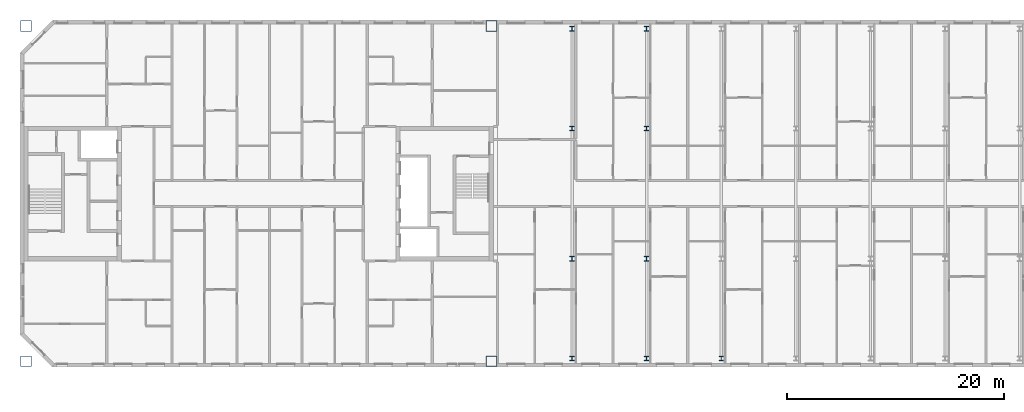
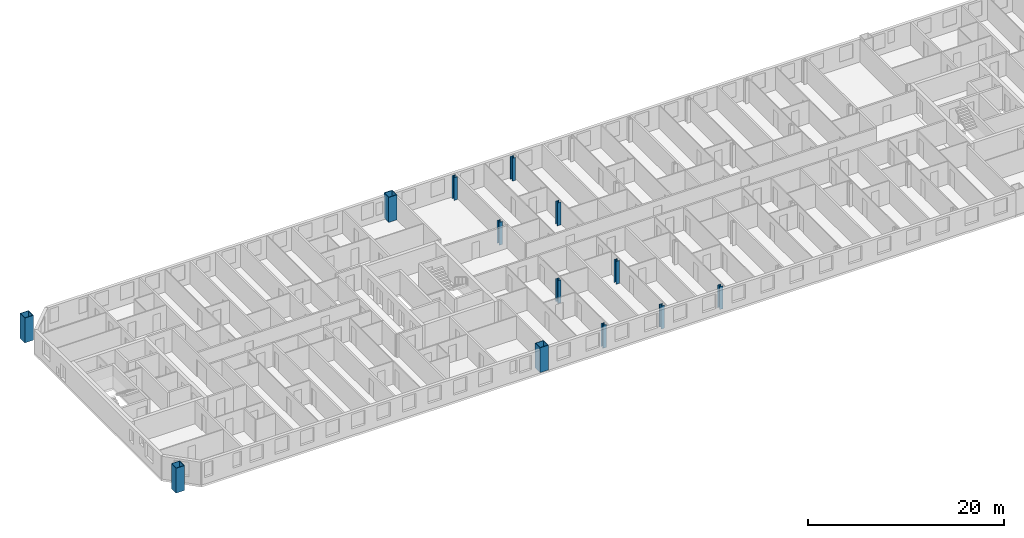
# One storey, part 1 of 19: 13 columns.
"""IFC4 building model written with IfcOpenShell, lengths in metres."""

import ifcopenshell
import ifcopenshell.guid

model = None  # the IFC model being written
_history = None  # IfcOwnerHistory: only IFC2X3 demands one
_inside = {}  # id of a spatial element -> (the spatial element, [elements in it])
_under = {}  # id of a project, library or spatial element -> (it, [spatial elements below it])
_declared = {}  # id of a project -> (the project, [libraries it declares])
_typed = {}  # id of a type object -> (the type object, [elements of that type])
_made_of = {}  # id of a material, layer set ... -> (it, [elements and type objects made of it])


def new_model(schema):
    """Start an empty IFC model of exactly this schema.

    Asked for "IFC4X3", IfcOpenShell would pick the latest addendum, in which some entities
    have other attributes; the version numbers below select the first issue.
    IFC2X3 requires an IfcOwnerHistory on every rooted entity: one is made here for all.
    """
    global model, _history
    if schema == "IFC4X3":
        model = ifcopenshell.file(schema_version=(4, 3, 0, 0))
    else:
        model = ifcopenshell.file(schema=schema)
    _inside.clear()
    _under.clear()
    _declared.clear()
    _typed.clear()
    _made_of.clear()
    _history = None
    if model.schema == "IFC2X3":
        org = make("IfcOrganization", Name="unknown")
        user = make(
            "IfcPersonAndOrganization",
            ThePerson=make("IfcPerson", FamilyName="unknown"),
            TheOrganization=org,
        )
        app = make(
            "IfcApplication",
            ApplicationDeveloper=org,
            Version="unknown",
            ApplicationFullName="unknown",
            ApplicationIdentifier="unknown",
        )
        _history = make(
            "IfcOwnerHistory",
            OwningUser=user,
            OwningApplication=app,
            ChangeAction="ADDED",
            CreationDate=0,
        )
    return model


def make(cls, **values):
    """One entity of the class cls with the attributes given. An attribute that is None is left unset."""
    return model.create_entity(
        cls, **{name: value for name, value in values.items() if value is not None}
    )


def rooted(cls, **values):
    """An entity with a GlobalId (a new one), such as an element, a storey or a relation."""
    return make(cls, GlobalId=ifcopenshell.guid.new(), OwnerHistory=_history, **values)


def si_unit(unit_type, name, prefix=None):
    """IfcSIUnit, for example si_unit("LENGTHUNIT", "METRE", prefix="MILLI")."""
    return make("IfcSIUnit", UnitType=unit_type, Prefix=prefix, Name=name)


def assignment(units):
    """IfcUnitAssignment: the units of a project."""
    return None if units is None else make("IfcUnitAssignment", Units=units)


def point(xyz):
    """IfcCartesianPoint."""
    return None if xyz is None else make("IfcCartesianPoint", Coordinates=xyz)


def direction(xyz):
    """IfcDirection."""
    return None if xyz is None else make("IfcDirection", DirectionRatios=xyz)


def frame(location, z_axis=None, x_axis=None):
    """IfcAxis2Placement3D, a coordinate frame: its origin and axes. An axis left out is left unset."""
    return make(
        "IfcAxis2Placement3D",
        Location=point(location),
        Axis=direction(z_axis),
        RefDirection=direction(x_axis),
    )


def frame_2d(location, x_axis=None):
    """IfcAxis2Placement2D, a coordinate frame in the plane: its origin and x axis."""
    return make(
        "IfcAxis2Placement2D", Location=point(location), RefDirection=direction(x_axis)
    )


def origin():
    """The frame at (0, 0, 0) with its axes left unset."""
    return frame((0.0, 0.0, 0.0))


def origin_2d():
    """The frame at (0, 0) in the plane with its x axis left unset."""
    return frame_2d((0.0, 0.0))


def place(relative_to, where):
    """IfcLocalPlacement: puts the frame where relative to a parent placement (None: the world)."""
    return make(
        "IfcLocalPlacement", PlacementRelTo=relative_to, RelativePlacement=where
    )


def context(
    kind, dimensions, precision=None, world=None, true_north=None, identifier=None
):
    """IfcGeometricRepresentationContext, for example the 3D "Model" context."""
    return make(
        "IfcGeometricRepresentationContext",
        ContextIdentifier=identifier,
        ContextType=kind,
        CoordinateSpaceDimension=dimensions,
        Precision=precision,
        WorldCoordinateSystem=world,
        TrueNorth=true_north,
    )


def subcontext(parent, identifier, kind, view, scale=None):
    """IfcGeometricRepresentationSubContext, for example "Body" below "Model"."""
    return make(
        "IfcGeometricRepresentationSubContext",
        ContextIdentifier=identifier,
        ContextType=kind,
        ParentContext=parent,
        TargetScale=scale,
        TargetView=view,
    )


def project(units=None, contexts=None):
    """IfcProject with its units and contexts."""
    return rooted(
        "IfcProject",
        Name="project",
        RepresentationContexts=contexts,
        UnitsInContext=assignment(units),
    )


def spatial(cls, under=None, at=None, **own):
    """A site, building, storey or space (cls), placed at a placement, below another one or the project."""
    s = rooted(cls, ObjectPlacement=at, **own)
    if under is not None:
        _under.setdefault(under.id(), (under, []))[1].append(s)
    return s


def profile(cls, at=None, kind="AREA", **sizes):
    """A parametric profile (cls). Its sizes go by their IFC names, for example OverallWidth=200.0."""
    return make(cls, ProfileType=kind, Position=at, **sizes)


def hollow_rectangle(**sizes):
    """IfcRectangleHollowProfileDef."""
    return profile("IfcRectangleHollowProfileDef", **sizes)


def i_section(**sizes):
    """IfcIShapeProfileDef."""
    return profile("IfcIShapeProfileDef", **sizes)


def extrude(swept, where, along, depth):
    """IfcExtrudedAreaSolid: the profile swept, set in the frame where, extruded along a direction by depth."""
    return make(
        "IfcExtrudedAreaSolid",
        SweptArea=swept,
        Position=where,
        ExtrudedDirection=direction(along),
        Depth=depth,
    )


def shape(context_of_items, identifier, shape_type, items):
    """IfcShapeRepresentation: the items that make up one representation, for example the "Body"."""
    return make(
        "IfcShapeRepresentation",
        ContextOfItems=context_of_items,
        RepresentationIdentifier=identifier,
        RepresentationType=shape_type,
        Items=items,
    )


def material(Name=None, Category=None):
    """IfcMaterial."""
    return make("IfcMaterial", Name=Name, Category=Category)


def material_profile(
    of_material, cross_section, Name=None, Category=None, Priority=None
):
    """IfcMaterialProfile: a cross section and its material."""
    return make(
        "IfcMaterialProfile",
        Name=Name,
        Material=of_material,
        Profile=cross_section,
        Priority=Priority,
        Category=Category,
    )


def profile_set(profiles, Name=None, composite=None):
    """IfcMaterialProfileSet."""
    return make(
        "IfcMaterialProfileSet",
        Name=Name,
        MaterialProfiles=profiles,
        CompositeProfile=composite,
    )


def made_of(thing, what):
    """Note that an element or type object is made of a material, layer set ...; save() writes the relation."""
    if what is not None:
        _made_of.setdefault(what.id(), (what, []))[1].append(thing)
    return thing


def type_object(cls, material=None, **own):
    """A type object (cls), such as IfcWallType, which elements share."""
    return made_of(rooted(cls, **own), material)


def element(
    cls,
    number,
    at=None,
    inside=None,
    cuts=None,
    type_object=None,
    material=None,
    context=None,
    identifier="Body",
    shape_type=None,
    held_by="IfcProductDefinitionShape",
    body=None,
    shapes=None,
    **own,
):
    """One element of the class cls, such as IfcWall. Its Tag is "e" and its number.

    at: its placement. inside: the storey or other place that contains it. cuts: it is an
    opening in that element (IfcRelVoidsElement). A single representation is given by context,
    identifier, shape_type and body (its items); several are given by shapes. held_by: the class
    of the entity that holds the representations. save() writes the other relations.
    """
    e = rooted(cls, Tag="e%d" % number, ObjectPlacement=at, **own)
    if body is not None:
        shapes = [shape(context, identifier, shape_type, body)]
    if shapes is not None:
        e.Representation = make(held_by, Representations=shapes)
    if inside is not None:
        _inside.setdefault(inside.id(), (inside, []))[1].append(e)
    if cuts is not None:
        rooted(
            "IfcRelVoidsElement", RelatingBuildingElement=cuts, RelatedOpeningElement=e
        )
    if type_object is not None:
        _typed.setdefault(type_object.id(), (type_object, []))[1].append(e)
    return made_of(e, material)


def aggregate(whole, parts):
    """IfcRelAggregates: a whole, such as a stair, and the parts it consists of."""
    return rooted("IfcRelAggregates", RelatingObject=whole, RelatedObjects=parts)


def save(model, path):
    """Write the relations noted so far, then the file.

    IfcRelAggregates (storeys below a building ...), IfcRelContainedInSpatialStructure (elements
    in a storey), IfcRelDefinesByType, IfcRelAssociatesMaterial and IfcRelDeclares: one each for
    every whole, place, type object, material and project.
    """
    for whole, parts in _under.values():
        aggregate(whole, parts)
    for where, things in _inside.values():
        rooted(
            "IfcRelContainedInSpatialStructure",
            RelatedElements=things,
            RelatingStructure=where,
        )
    for kind, things in _typed.values():
        rooted("IfcRelDefinesByType", RelatedObjects=things, RelatingType=kind)
    for what, things in _made_of.values():
        rooted("IfcRelAssociatesMaterial", RelatedObjects=things, RelatingMaterial=what)
    for by, libraries in _declared.values():
        rooted("IfcRelDeclares", RelatingContext=by, RelatedDefinitions=libraries)
    model.write(path)


model = new_model("IFC4")

# Units and contexts
model_context = context("Model", 3, precision=1e-05, world=origin(), true_north=direction((0.0, 1.0)))
body_context = subcontext(model_context, "Body", "Model", "MODEL_VIEW")
ifc_project = project(units=[si_unit("LENGTHUNIT", "METRE"), si_unit("AREAUNIT", "SQUARE_METRE"), si_unit("VOLUMEUNIT", "CUBIC_METRE"), si_unit("PLANEANGLEUNIT", "RADIAN"), si_unit("MASSUNIT", "GRAM", prefix="KILO")], contexts=[model_context])

# Site, building, storey
site_placement = place(None, origin())
site = spatial("IfcSite", under=ifc_project, at=site_placement, CompositionType="ELEMENT")
building_placement = place(site_placement, origin())
building = spatial("IfcBuilding", under=site, at=building_placement, Name="Tuart Gate Housing", CompositionType="ELEMENT")
storey_placement = place(building_placement, frame((0.0, 0.0, 209.0)))
storey = spatial("IfcBuildingStorey", under=building, at=storey_placement, Name="L59", CompositionType="ELEMENT", Elevation=209.0)

# Columns
ifc_material_1 = material(Name="Steel Grade 350", Category="steel")
ifc_material_profile_1 = material_profile(ifc_material_1, i_section(OverallWidth=0.39990234375, OverallDepth=0.429931640625, WebThickness=0.0400390625, FlangeThickness=0.0400390625, at=origin_2d()), Name="400WC361")
ifc_profile_set_1 = profile_set([ifc_material_profile_1], Name="Steel Grade 350")
column_type_1 = type_object("IfcColumnType", Name="Link column 400 WC361", PredefinedType="COLUMN", material=ifc_profile_set_1)
for number, where, z_axis, x_axis, name in (
    (1, (82.875, 54.800048828125, 0.0), (0.0, 0.0, 1.0), (1.0, 0.0, 0.0), "Link column line 1 point 1 L59"),
    (2, (89.75, 54.800048828125, 0.0), (0.0, 0.0, 1.0), (1.0, 0.0, 0.0), "Link column line 1 point 2 L59"),
    (3, (96.625, 54.800048828125, 0.0), (0.0, 0.0, 1.0), (1.0, 0.0, 0.0), "Link column line 1 point 3 L59"),
    (4, (82.875, 64.0, 0.0), (0.0, 0.0, 1.0), (1.0, 0.0, 0.0), "Link column line 2 point 1 L59"),
    (5, (89.75, 64.0, 0.0), (0.0, 0.0, 1.0), (1.0, 0.0, 0.0), "Link column line 2 point 2 L59"),
    (6, (82.875, 76.0, 0.0), (0.0, 0.0, 1.0), (1.0, 0.0, 0.0), "Link column line 3 point 1 L59"),
    (7, (89.75, 76.0, 0.0), (0.0, 0.0, 1.0), (1.0, 0.0, 0.0), "Link column line 3 point 2 L59"),
    (8, (82.875, 85.199951171875, 0.0), (0.0, 0.0, 1.0), (1.0, 0.0, 0.0), "Link column line 4 point 1 L59"),
    (9, (89.75, 85.199951171875, 0.0), (0.0, 0.0, 1.0), (1.0, 0.0, 0.0), "Link column line 4 point 2 L59"),
):
    element("IfcColumn", number, at=place(storey_placement, frame(where, z_axis=z_axis, x_axis=x_axis)), inside=storey, type_object=column_type_1, Name=name, PredefinedType="COLUMN", context=body_context, shape_type="SweptSolid", body=[
        extrude(i_section(OverallWidth=0.39990234375, OverallDepth=0.429931640625, WebThickness=0.0400390625, FlangeThickness=0.0400390625, at=origin_2d()), origin(), (0.0, 0.0, 1.0), 2.85009765625),
    ])
ifc_material_2 = material(Name="Steel Grade 350", Category="steel")
ifc_material_profile_2 = material_profile(ifc_material_2, hollow_rectangle(XDim=1.0, YDim=1.0, WallThickness=0.054931640625, at=origin_2d()), Name="BOX 1000x1000x55")
ifc_profile_set_2 = profile_set([ifc_material_profile_2], Name="Steel Grade 350")
column_type_2 = type_object("IfcColumnType", Name="Mega column BOX 1000x1000x55", PredefinedType="COLUMN", material=ifc_profile_set_2)
for number, where, z_axis, x_axis, name in (
    (10, (32.550048828125, 54.550048828125, 0.0), (0.0, 0.0, 1.0), (1.0, 0.0, 0.0), "Mega column A south-west L59"),
    (11, (75.449951171875, 54.550048828125, 0.0), (0.0, 0.0, 1.0), (1.0, 0.0, 0.0), "Mega column A south-east L59"),
    (12, (75.449951171875, 85.449951171875, 0.0), (0.0, 0.0, 1.0), (1.0, 0.0, 0.0), "Mega column A north-east L59"),
    (13, (32.550048828125, 85.449951171875, 0.0), (0.0, 0.0, 1.0), (1.0, 0.0, 0.0), "Mega column A north-west L59"),
):
    element("IfcColumn", number, at=place(storey_placement, frame(where, z_axis=z_axis, x_axis=x_axis)), inside=storey, type_object=column_type_2, Name=name, PredefinedType="COLUMN", context=body_context, shape_type="SweptSolid", body=[
        extrude(hollow_rectangle(XDim=1.0, YDim=1.0, WallThickness=0.054931640625, at=origin_2d()), origin(), (0.0, 0.0, 1.0), 3.10009765625),
    ])

save(model, "model.ifc")
